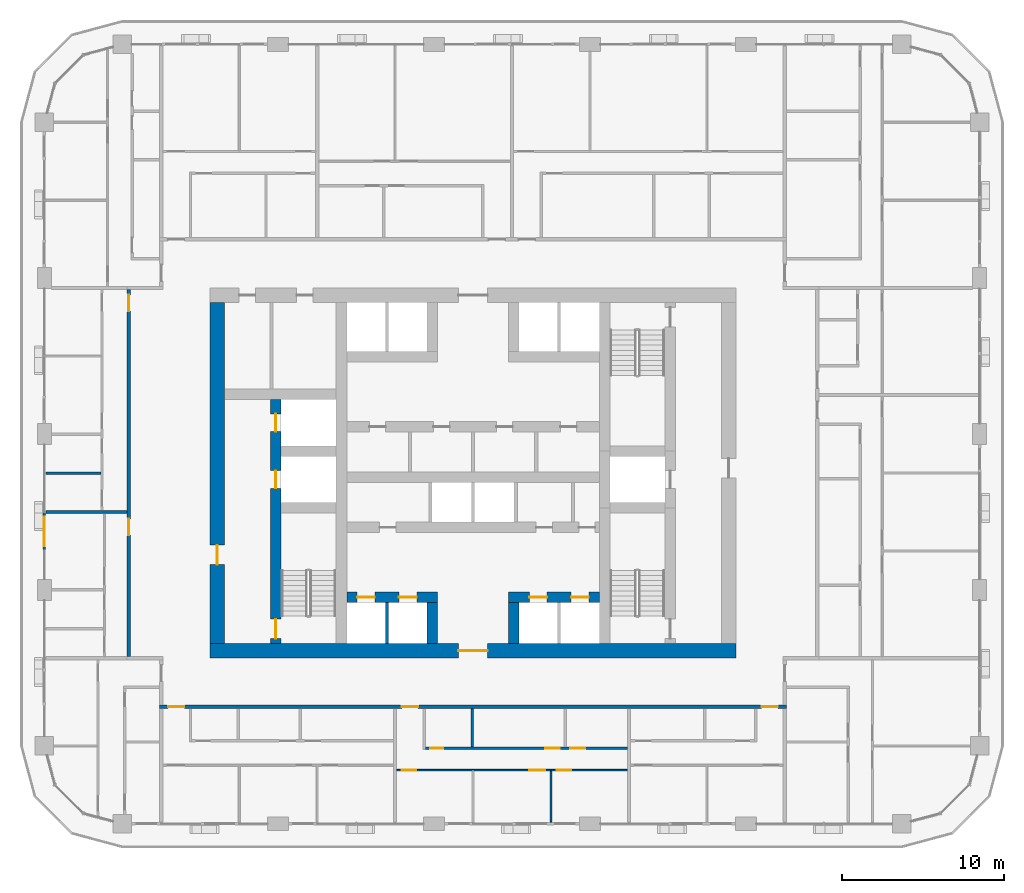
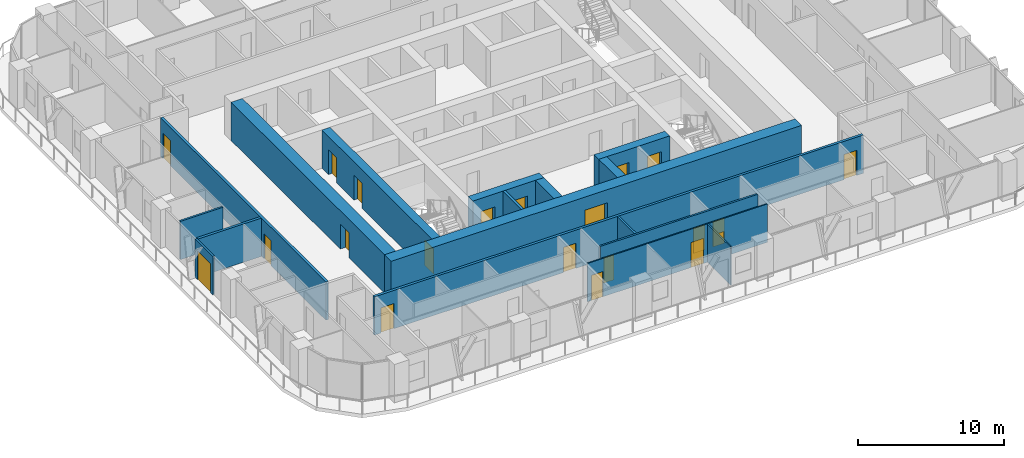
# One storey, part 10 of 22: 21 doors, 17 walls, 21 openings.
"""IFC4 building model written with IfcOpenShell, lengths in metres."""

from ifc_helpers import new_model, si_unit, direction, frame, frame_2d, origin, place, context, subcontext, project, spatial, rectangle, extrude, material, layer, layer_set, type_object, element, fill, save


model = new_model("IFC4")

# Units and contexts
model_context = context("Model", 3, precision=1e-05, world=origin(), true_north=direction((0.0, 1.0)))
body_context = subcontext(model_context, "Body", "Model", "MODEL_VIEW")
ifc_project = project(units=[si_unit("LENGTHUNIT", "METRE"), si_unit("AREAUNIT", "SQUARE_METRE"), si_unit("VOLUMEUNIT", "CUBIC_METRE"), si_unit("PLANEANGLEUNIT", "RADIAN"), si_unit("MASSUNIT", "GRAM", prefix="KILO")], contexts=[model_context])

# Site, building, storey
site_placement = place(None, origin())
site = spatial("IfcSite", under=ifc_project, at=site_placement, CompositionType="ELEMENT")
building_placement = place(site_placement, origin())
building = spatial("IfcBuilding", under=site, at=building_placement, Name="Madar Terraces", CompositionType="ELEMENT")
storey_placement = place(building_placement, frame((0.0, 0.0, 103.199951171875)))
storey = spatial("IfcBuildingStorey", under=building, at=storey_placement, Name="L26", CompositionType="ELEMENT", Elevation=103.199951171875)

# Wall, openings, doors
ifc_material_1 = material(Name="Concrete C80/95", Category="concrete")
ifc_layer_1 = layer(ifc_material_1, 0.64990234375)
ifc_layer_set_1 = layer_set([ifc_layer_1], Name="Concrete C80/95 (CIW2 RC wall 650)")
wall_type_1 = type_object("IfcWallType", Name="CIW2 RC wall 650", PredefinedType="SHEAR", material=ifc_layer_set_1)
wall_1_placement = place(storey_placement, frame((19.050048828125, 15.89990234375, 0.0), z_axis=(0.0, 0.0, 1.0), x_axis=(0.0, 1.0, 0.0)))
wall_1 = element("IfcWall", 1, at=wall_1_placement, inside=storey, type_object=wall_type_1, Name="CORE SHAFT WALL", PredefinedType="SHEAR", context=body_context, shape_type="SweptSolid", body=[
    extrude(rectangle(XDim=15.025146484375, YDim=0.64990234375, at=frame_2d((7.5126953125, 0.0))), origin(), (0.0, 0.0, 1.0), 3.199951171875),
])
opening_1_placement = place(wall_1_placement, frame((9.550048828125, 0.0, 0.0)))
opening_1 = element("IfcOpeningElement", 2, at=opening_1_placement, cuts=wall_1, Name="Opening LD", PredefinedType="OPENING", context=body_context, shape_type="SweptSolid", body=[
    extrude(rectangle(XDim=1.10009765625, YDim=2.10009765625, at=frame_2d((0.550048828125, 1.050048828125))), frame((0.0, 0.3349609375, 0.0), z_axis=(0.0, -1.0, 0.0), x_axis=(1.0, 0.0, 0.0)), (0.0, 0.0, 1.0), 0.669921875),
])
opening_2_placement = place(wall_1_placement, frame((13.050048828125, 0.0, 0.0)))
opening_2 = element("IfcOpeningElement", 3, at=opening_2_placement, cuts=wall_1, Name="Opening LD", PredefinedType="OPENING", context=body_context, shape_type="SweptSolid", body=[
    extrude(rectangle(XDim=1.10009765625, YDim=2.10009765625, at=frame_2d((0.550048828125, 1.050048828125))), frame((0.0, 0.3349609375, 0.0), z_axis=(0.0, -1.0, 0.0), x_axis=(1.0, 0.0, 0.0)), (0.0, 0.0, 1.0), 0.669921875),
])
opening_3_placement = place(wall_1_placement, frame((0.300048828125, 0.0, 0.0)))
opening_3 = element("IfcOpeningElement", 4, at=opening_3_placement, cuts=wall_1, Name="Opening SD1", PredefinedType="OPENING", context=body_context, shape_type="SweptSolid", body=[
    extrude(rectangle(XDim=1.199951171875, YDim=2.10009765625, at=frame_2d((0.60009765625, 1.050048828125))), frame((0.0, 0.3349609375, 0.0), z_axis=(0.0, -1.0, 0.0), x_axis=(1.0, 0.0, 0.0)), (0.0, 0.0, 1.0), 0.669921875),
])
ifc_material_2 = material(Name="Stainless steel panel", Category="steel")
door_type_1 = type_object("IfcDoorType", Name="Lift landing door 1100 x 2100", OperationType="DOUBLE_DOOR_SLIDING", PredefinedType="DOOR", material=ifc_material_2)
door_1_placement = place(opening_1_placement, origin())
door_1 = element("IfcDoor", 5, at=door_1_placement, inside=storey, type_object=door_type_1, Name="LIFT LANDING DOOR", OperationType="DOUBLE_DOOR_SLIDING", OverallHeight=2.10009765625, OverallWidth=1.10009765625, PredefinedType="DOOR", context=body_context, shape_type="SweptSolid", body=[
    extrude(rectangle(XDim=1.10009765625, YDim=2.10009765625, at=frame_2d((0.550048828125, 1.050048828125))), frame((0.0, 0.02490234375, 0.0), z_axis=(0.0, -1.0, 0.0), x_axis=(1.0, 0.0, 0.0)), (0.0, 0.0, 1.0), 0.050048828125),
])
fill(opening_1, door_1)
door_2_placement = place(opening_2_placement, origin())
door_2 = element("IfcDoor", 6, at=door_2_placement, inside=storey, type_object=door_type_1, Name="LIFT LANDING DOOR", OperationType="DOUBLE_DOOR_SLIDING", OverallHeight=2.10009765625, OverallWidth=1.10009765625, PredefinedType="DOOR", context=body_context, shape_type="SweptSolid", body=[
    extrude(rectangle(XDim=1.10009765625, YDim=2.10009765625, at=frame_2d((0.550048828125, 1.050048828125))), frame((0.0, 0.02490234375, 0.0), z_axis=(0.0, -1.0, 0.0), x_axis=(1.0, 0.0, 0.0)), (0.0, 0.0, 1.0), 0.050048828125),
])
fill(opening_2, door_2)
ifc_material_3 = material(Name="Steel door leaf", Category="steel")
door_type_2 = type_object("IfcDoorType", Name="Stair door 1200 x 2100", OperationType="NOTDEFINED", PredefinedType="DOOR", material=ifc_material_3)
door_3_placement = place(opening_3_placement, frame((1.199951171875, 0.0, 0.0), z_axis=(0.0, 0.0, 1.0), x_axis=(-1.0, 0.0, 0.0)))
door_3 = element("IfcDoor", 7, at=door_3_placement, inside=storey, type_object=door_type_2, Name="STAIR DOOR", OperationType="SINGLE_SWING_RIGHT", OverallHeight=2.10009765625, OverallWidth=1.199951171875, PredefinedType="DOOR", context=body_context, shape_type="SweptSolid", body=[
    extrude(rectangle(XDim=1.199951171875, YDim=2.10009765625, at=frame_2d((0.60009765625, 1.050048828125))), frame((0.0, 0.02490234375, 0.0), z_axis=(0.0, -1.0, 0.0), x_axis=(1.0, 0.0, 0.0)), (0.0, 0.0, 1.0), 0.050048828125),
])
fill(opening_3, door_3)

wall_2_placement = place(storey_placement, frame((23.425048828125, 18.75, 0.0), z_axis=(0.0, 0.0, 1.0), x_axis=(1.0, 0.0, 0.0)))
wall_2 = element("IfcWall", 8, at=wall_2_placement, inside=storey, type_object=wall_type_1, Name="CORE SHAFT WALL", PredefinedType="SHEAR", context=body_context, shape_type="SweptSolid", body=[
    extrude(rectangle(XDim=5.599853515625, YDim=0.64990234375, at=frame_2d((2.7998046875, 0.0))), origin(), (0.0, 0.0, 1.0), 3.199951171875),
])
opening_4_placement = place(wall_2_placement, frame((0.637451171875, 0.0, 0.0)))
opening_4 = element("IfcOpeningElement", 9, at=opening_4_placement, cuts=wall_2, Name="Opening LD", PredefinedType="OPENING", context=body_context, shape_type="SweptSolid", body=[
    extrude(rectangle(XDim=1.10009765625, YDim=2.10009765625, at=frame_2d((0.550048828125, 1.050048828125))), frame((0.0, 0.3349609375, 0.0), z_axis=(0.0, -1.0, 0.0), x_axis=(1.0, 0.0, 0.0)), (0.0, 0.0, 1.0), 0.669921875),
])
opening_5_placement = place(wall_2_placement, frame((3.21240234375, 0.0, 0.0)))
opening_5 = element("IfcOpeningElement", 10, at=opening_5_placement, cuts=wall_2, Name="Opening LD", PredefinedType="OPENING", context=body_context, shape_type="SweptSolid", body=[
    extrude(rectangle(XDim=1.10009765625, YDim=2.10009765625, at=frame_2d((0.550048828125, 1.050048828125))), frame((0.0, 0.3349609375, 0.0), z_axis=(0.0, -1.0, 0.0), x_axis=(1.0, 0.0, 0.0)), (0.0, 0.0, 1.0), 0.669921875),
])
door_4_placement = place(opening_4_placement, origin())
door_4 = element("IfcDoor", 11, at=door_4_placement, inside=storey, type_object=door_type_1, Name="LIFT LANDING DOOR", OperationType="DOUBLE_DOOR_SLIDING", OverallHeight=2.10009765625, OverallWidth=1.10009765625, PredefinedType="DOOR", context=body_context, shape_type="SweptSolid", body=[
    extrude(rectangle(XDim=1.10009765625, YDim=2.10009765625, at=frame_2d((0.550048828125, 1.050048828125))), frame((0.0, 0.02490234375, 0.0), z_axis=(0.0, -1.0, 0.0), x_axis=(1.0, 0.0, 0.0)), (0.0, 0.0, 1.0), 0.050048828125),
])
fill(opening_4, door_4)
door_5_placement = place(opening_5_placement, origin())
door_5 = element("IfcDoor", 12, at=door_5_placement, inside=storey, type_object=door_type_1, Name="LIFT LANDING DOOR", OperationType="DOUBLE_DOOR_SLIDING", OverallHeight=2.10009765625, OverallWidth=1.10009765625, PredefinedType="DOOR", context=body_context, shape_type="SweptSolid", body=[
    extrude(rectangle(XDim=1.10009765625, YDim=2.10009765625, at=frame_2d((0.550048828125, 1.050048828125))), frame((0.0, 0.02490234375, 0.0), z_axis=(0.0, -1.0, 0.0), x_axis=(1.0, 0.0, 0.0)), (0.0, 0.0, 1.0), 0.050048828125),
])
fill(opening_5, door_5)

wall_3_placement = place(storey_placement, frame((33.375, 18.75, 0.0), z_axis=(0.0, 0.0, 1.0), x_axis=(1.0, 0.0, 0.0)))
wall_3 = element("IfcWall", 13, at=wall_3_placement, inside=storey, type_object=wall_type_1, Name="CORE SHAFT WALL", PredefinedType="SHEAR", context=body_context, shape_type="SweptSolid", body=[
    extrude(rectangle(XDim=5.60009765625, YDim=0.64990234375, at=frame_2d((2.800048828125, 0.0))), origin(), (0.0, 0.0, 1.0), 3.199951171875),
])
opening_6_placement = place(wall_3_placement, frame((1.28759765625, 0.0, 0.0)))
opening_6 = element("IfcOpeningElement", 14, at=opening_6_placement, cuts=wall_3, Name="Opening LD", PredefinedType="OPENING", context=body_context, shape_type="SweptSolid", body=[
    extrude(rectangle(XDim=1.10009765625, YDim=2.10009765625, at=frame_2d((0.550048828125, 1.050048828125))), frame((0.0, 0.3349609375, 0.0), z_axis=(0.0, -1.0, 0.0), x_axis=(1.0, 0.0, 0.0)), (0.0, 0.0, 1.0), 0.669921875),
])
opening_7_placement = place(wall_3_placement, frame((3.862548828125, 0.0, 0.0)))
opening_7 = element("IfcOpeningElement", 15, at=opening_7_placement, cuts=wall_3, Name="Opening LD", PredefinedType="OPENING", context=body_context, shape_type="SweptSolid", body=[
    extrude(rectangle(XDim=1.10009765625, YDim=2.10009765625, at=frame_2d((0.550048828125, 1.050048828125))), frame((0.0, 0.3349609375, 0.0), z_axis=(0.0, -1.0, 0.0), x_axis=(1.0, 0.0, 0.0)), (0.0, 0.0, 1.0), 0.669921875),
])
door_6_placement = place(opening_6_placement, origin())
door_6 = element("IfcDoor", 16, at=door_6_placement, inside=storey, type_object=door_type_1, Name="LIFT LANDING DOOR", OperationType="DOUBLE_DOOR_SLIDING", OverallHeight=2.10009765625, OverallWidth=1.10009765625, PredefinedType="DOOR", context=body_context, shape_type="SweptSolid", body=[
    extrude(rectangle(XDim=1.10009765625, YDim=2.10009765625, at=frame_2d((0.550048828125, 1.050048828125))), frame((0.0, 0.02490234375, 0.0), z_axis=(0.0, -1.0, 0.0), x_axis=(1.0, 0.0, 0.0)), (0.0, 0.0, 1.0), 0.050048828125),
])
fill(opening_6, door_6)
door_7_placement = place(opening_7_placement, origin())
door_7 = element("IfcDoor", 17, at=door_7_placement, inside=storey, type_object=door_type_1, Name="LIFT LANDING DOOR", OperationType="DOUBLE_DOOR_SLIDING", OverallHeight=2.10009765625, OverallWidth=1.10009765625, PredefinedType="DOOR", context=body_context, shape_type="SweptSolid", body=[
    extrude(rectangle(XDim=1.10009765625, YDim=2.10009765625, at=frame_2d((0.550048828125, 1.050048828125))), frame((0.0, 0.02490234375, 0.0), z_axis=(0.0, -1.0, 0.0), x_axis=(1.0, 0.0, 0.0)), (0.0, 0.0, 1.0), 0.050048828125),
])
fill(opening_7, door_7)

# Walls
for number, where, z_axis, x_axis, name in (
    (18, (28.699951171875, 15.89990234375, 0.0), (0.0, 0.0, 1.0), (0.0, 1.0, 0.0), "CORE SHAFT WALL"),
    (19, (33.699951171875, 15.89990234375, 0.0), (0.0, 0.0, 1.0), (0.0, 1.0, 0.0), "CORE SHAFT WALL"),
):
    element("IfcWall", number, at=place(storey_placement, frame(where, z_axis=z_axis, x_axis=x_axis)), inside=storey, type_object=wall_type_1, Name=name, PredefinedType="SHEAR", context=body_context, shape_type="SweptSolid", body=[
        extrude(rectangle(XDim=2.525146484375, YDim=0.64990234375, at=frame_2d((1.2626953125, 0.0))), origin(), (0.0, 0.0, 1.0), 3.199951171875),
    ])

# Wall, opening, door
ifc_material_4 = material(Name="Concrete C80/95", Category="concrete")
ifc_layer_2 = layer(ifc_material_4, 0.89990234375)
ifc_layer_set_2 = layer_set([ifc_layer_2], Name="Concrete C80/95 (CRW2 RC wall 900)")
wall_type_2 = type_object("IfcWallType", Name="CRW2 RC wall 900", PredefinedType="SHEAR", material=ifc_layer_set_2)
wall_4_placement = place(storey_placement, frame((15.0, 15.449951171875, 0.0), z_axis=(0.0, 0.0, 1.0), x_axis=(1.0, 0.0, 0.0)))
wall_4 = element("IfcWall", 20, at=wall_4_placement, inside=storey, type_object=wall_type_2, Name="CORE OUTER WALL", PredefinedType="SHEAR", context=body_context, shape_type="SweptSolid", body=[
    extrude(rectangle(XDim=32.39990234375, YDim=0.89990234375, at=frame_2d((16.199951171875, 0.0))), origin(), (0.0, 0.0, 1.0), 3.199951171875),
])
opening_8_placement = place(wall_4_placement, frame((15.300048828125, 0.0, 0.0)))
opening_8 = element("IfcOpeningElement", 21, at=opening_8_placement, cuts=wall_4, Name="Opening KD1", PredefinedType="OPENING", context=body_context, shape_type="SweptSolid", body=[
    extrude(rectangle(XDim=1.800048828125, YDim=2.10009765625, at=frame_2d((0.89990234375, 1.050048828125))), frame((0.0, 0.4599609375, 0.0), z_axis=(0.0, -1.0, 0.0), x_axis=(1.0, 0.0, 0.0)), (0.0, 0.0, 1.0), 0.919921875),
])
ifc_material_5 = material(Name="Steel door leaf", Category="steel")
door_type_3 = type_object("IfcDoorType", Name="Lobby door pair 1800 x 2100", OperationType="DOUBLE_DOOR_SINGLE_SWING", PredefinedType="DOOR", material=ifc_material_5)
door_8_placement = place(opening_8_placement, frame((1.800048828125, 0.0, 0.0), z_axis=(0.0, 0.0, 1.0), x_axis=(-1.0, 0.0, 0.0)))
door_8 = element("IfcDoor", 22, at=door_8_placement, inside=storey, type_object=door_type_3, Name="LIFT LOBBY DOOR", OperationType="DOUBLE_DOOR_SINGLE_SWING", OverallHeight=2.10009765625, OverallWidth=1.800048828125, PredefinedType="DOOR", context=body_context, shape_type="SweptSolid", body=[
    extrude(rectangle(XDim=1.800048828125, YDim=2.10009765625, at=frame_2d((0.89990234375, 1.050048828125))), frame((0.0, 0.02490234375, 0.0), z_axis=(0.0, -1.0, 0.0), x_axis=(1.0, 0.0, 0.0)), (0.0, 0.0, 1.0), 0.050048828125),
])
fill(opening_8, door_8)

wall_5_placement = place(storey_placement, frame((15.449951171875, 15.89990234375, 0.0), z_axis=(0.0, 0.0, 1.0), x_axis=(0.0, 1.0, 0.0)))
wall_5 = element("IfcWall", 23, at=wall_5_placement, inside=storey, type_object=wall_type_2, Name="CORE OUTER WALL", PredefinedType="SHEAR", context=body_context, shape_type="SweptSolid", body=[
    extrude(rectangle(XDim=21.0, YDim=0.89990234375, at=frame_2d((10.5, 0.0))), origin(), (0.0, 0.0, 1.0), 3.199951171875),
])
opening_9_placement = place(wall_5_placement, frame((4.860107421875, 0.0, 0.0)))
opening_9 = element("IfcOpeningElement", 24, at=opening_9_placement, cuts=wall_5, Name="Opening SD1", PredefinedType="OPENING", context=body_context, shape_type="SweptSolid", body=[
    extrude(rectangle(XDim=1.199951171875, YDim=2.10009765625, at=frame_2d((0.60009765625, 1.050048828125))), frame((0.0, 0.4599609375, 0.0), z_axis=(0.0, -1.0, 0.0), x_axis=(1.0, 0.0, 0.0)), (0.0, 0.0, 1.0), 0.919921875),
])
door_9_placement = place(opening_9_placement, frame((1.199951171875, 0.0, 0.0), z_axis=(0.0, 0.0, 1.0), x_axis=(-1.0, 0.0, 0.0)))
door_9 = element("IfcDoor", 25, at=door_9_placement, inside=storey, type_object=door_type_2, Name="STAIR DOOR", OperationType="SINGLE_SWING_LEFT", OverallHeight=2.10009765625, OverallWidth=1.199951171875, PredefinedType="DOOR", context=body_context, shape_type="SweptSolid", body=[
    extrude(rectangle(XDim=1.199951171875, YDim=2.10009765625, at=frame_2d((0.60009765625, 1.050048828125))), frame((0.0, 0.02490234375, 0.0), z_axis=(0.0, -1.0, 0.0), x_axis=(1.0, 0.0, 0.0)), (0.0, 0.0, 1.0), 0.050048828125),
])
fill(opening_9, door_9)

# Wall
ifc_material_6 = material(Name="Concrete C40/50", Category="concrete")
ifc_layer_3 = layer(ifc_material_6, 0.199951171875)
ifc_layer_set_3 = layer_set([ifc_layer_3], Name="Core shaft dividing wall 200 C40/50")
wall_type_3 = type_object("IfcWallType", Name="Core shaft dividing wall 200 C40/50", PredefinedType="SOLIDWALL", material=ifc_layer_set_3)
wall_6_placement = place(storey_placement, frame((25.89990234375, 15.89990234375, 0.0), z_axis=(0.0, 0.0, 1.0), x_axis=(0.0, 1.0, 0.0)))
element("IfcWall", 26, at=wall_6_placement, inside=storey, type_object=wall_type_3, Name="SHAFT DIVIDING WALL", PredefinedType="SOLIDWALL", context=body_context, shape_type="SweptSolid", body=[
    extrude(rectangle(XDim=2.525146484375, YDim=0.199951171875, at=frame_2d((1.2626953125, 0.0))), origin(), (0.0, 0.0, 1.0), 3.199951171875),
])

# Wall, opening, door
ifc_material_7 = material(Name="Aluminium composite panel, black, over insulated backing", Category="aluminium")
ifc_layer_4 = layer(ifc_material_7, 0.14990234375)
ifc_layer_set_4 = layer_set([ifc_layer_4], Name="Facade bay panel 150")
wall_type_4 = type_object("IfcWallType", Name="Facade bay panel 150", PredefinedType="SOLIDWALL", material=ifc_layer_set_4)
wall_7_placement = place(storey_placement, frame((4.800048828125, 24.0, 0.0), z_axis=(0.0, 0.0, 1.0), x_axis=(0.0, -1.0, 0.0)))
wall_7 = element("IfcWall", 27, at=wall_7_placement, inside=storey, type_object=wall_type_4, Name="Facade bay panel", PredefinedType="SOLIDWALL", context=body_context, shape_type="SweptSolid", body=[
    extrude(rectangle(XDim=2.39990234375, YDim=0.14990234375, at=frame_2d((1.199951171875, 0.0))), origin(), (0.0, 0.0, 1.0), 3.199951171875),
])
opening_10_placement = place(wall_7_placement, frame((0.300048828125, 0.0, 0.0)))
opening_10 = element("IfcOpeningElement", 28, at=opening_10_placement, cuts=wall_7, Name="Opening ED1", PredefinedType="OPENING", context=body_context, shape_type="SweptSolid", body=[
    extrude(rectangle(XDim=1.800048828125, YDim=2.39990234375, at=frame_2d((0.89990234375, 1.199951171875))), frame((0.0, 0.0849609375, 0.0), z_axis=(0.0, -1.0, 0.0), x_axis=(1.0, 0.0, 0.0)), (0.0, 0.0, 1.0), 0.169921875),
])
ifc_material_8 = material(Name="Glass, clear, with black aluminium frame", Category="aluminium")
door_type_4 = type_object("IfcDoorType", Name="Balcony and terrace sliding door 1800 x 2400", OperationType="SLIDING_TO_LEFT", PredefinedType="DOOR", material=ifc_material_8)
door_10_placement = place(opening_10_placement, origin())
door_10 = element("IfcDoor", 29, at=door_10_placement, inside=storey, type_object=door_type_4, Name="Balcony door", OperationType="SLIDING_TO_LEFT", OverallHeight=2.39990234375, OverallWidth=1.800048828125, PredefinedType="DOOR", context=body_context, shape_type="SweptSolid", body=[
    extrude(rectangle(XDim=1.800048828125, YDim=2.39990234375, at=frame_2d((0.89990234375, 1.199951171875))), frame((0.0, 0.02490234375, 0.0), z_axis=(0.0, -1.0, 0.0), x_axis=(1.0, 0.0, 0.0)), (0.0, 0.0, 1.0), 0.050048828125),
])
fill(opening_10, door_10)

# Wall
ifc_material_9 = material(Name="Gypsum board on steel studs", Category="steel")
ifc_layer_5 = layer(ifc_material_9, 0.10009765625)
ifc_layer_set_5 = layer_set([ifc_layer_5], Name="Flat partition 100")
wall_type_5 = type_object("IfcWallType", Name="Flat partition 100", PredefinedType="PARTITIONING", material=ifc_layer_set_5)
wall_8_placement = place(storey_placement, frame((36.0, 8.050048828125, 0.0), z_axis=(0.0, 0.0, 1.0), x_axis=(0.0, -1.0, 0.0)))
element("IfcWall", 30, at=wall_8_placement, inside=storey, type_object=wall_type_5, Name="Flat partition 100", PredefinedType="PARTITIONING", context=body_context, shape_type="SweptSolid", body=[
    extrude(rectangle(XDim=3.150146484375, YDim=0.10009765625, at=frame_2d((1.5751953125, 0.0))), origin(), (0.0, 0.0, 1.0), 3.199951171875),
])

# Wall, openings, doors
wall_9_placement = place(storey_placement, frame((40.699951171875, 8.10009765625, 0.0), z_axis=(0.0, 0.0, 1.0), x_axis=(-1.0, 0.0, 0.0)))
wall_9 = element("IfcWall", 31, at=wall_9_placement, inside=storey, type_object=wall_type_5, Name="Flat partition 100", PredefinedType="PARTITIONING", context=body_context, shape_type="SweptSolid", body=[
    extrude(rectangle(XDim=14.199951171875, YDim=0.10009765625, at=frame_2d((7.10009765625, 0.0))), origin(), (0.0, 0.0, 1.0), 3.199951171875),
])
opening_11_placement = place(wall_9_placement, frame((13.0, 0.0, 0.0)))
opening_11 = element("IfcOpeningElement", 32, at=opening_11_placement, cuts=wall_9, Name="Opening D2", PredefinedType="OPENING", context=body_context, shape_type="SweptSolid", body=[
    extrude(rectangle(XDim=0.89990234375, YDim=2.10009765625, at=frame_2d((0.449951171875, 1.050048828125))), frame((0.0, 0.06005859375, 0.0), z_axis=(0.0, -1.0, 0.0), x_axis=(1.0, 0.0, 0.0)), (0.0, 0.0, 1.0), 0.1201171875),
])
opening_12_placement = place(wall_9_placement, frame((5.050048828125, 0.0, 0.0)))
opening_12 = element("IfcOpeningElement", 33, at=opening_12_placement, cuts=wall_9, Name="Opening D3", PredefinedType="OPENING", context=body_context, shape_type="SweptSolid", body=[
    extrude(rectangle(XDim=1.0, YDim=2.10009765625, at=frame_2d((0.5, 1.050048828125))), frame((0.0, 0.06005859375, 0.0), z_axis=(0.0, -1.0, 0.0), x_axis=(1.0, 0.0, 0.0)), (0.0, 0.0, 1.0), 0.1201171875),
])
opening_13_placement = place(wall_9_placement, frame((3.449951171875, 0.0, 0.0)))
opening_13 = element("IfcOpeningElement", 34, at=opening_13_placement, cuts=wall_9, Name="Opening D2", PredefinedType="OPENING", context=body_context, shape_type="SweptSolid", body=[
    extrude(rectangle(XDim=0.89990234375, YDim=2.10009765625, at=frame_2d((0.449951171875, 1.050048828125))), frame((0.0, 0.06005859375, 0.0), z_axis=(0.0, -1.0, 0.0), x_axis=(1.0, 0.0, 0.0)), (0.0, 0.0, 1.0), 0.1201171875),
])
ifc_material_10 = material(Name="Timber door leaf", Category="wood")
door_type_5 = type_object("IfcDoorType", Name="Flat living room door 1000", OperationType="NOTDEFINED", PredefinedType="DOOR", material=ifc_material_10)
door_11_placement = place(opening_12_placement, origin())
door_11 = element("IfcDoor", 35, at=door_11_placement, inside=storey, type_object=door_type_5, Name="Flat living room door 1000", OperationType="SINGLE_SWING_LEFT", OverallHeight=2.10009765625, OverallWidth=1.0, PredefinedType="DOOR", context=body_context, shape_type="SweptSolid", body=[
    extrude(rectangle(XDim=1.0, YDim=2.10009765625, at=frame_2d((0.5, 1.050048828125))), frame((0.0, 0.02490234375, 0.0), z_axis=(0.0, -1.0, 0.0), x_axis=(1.0, 0.0, 0.0)), (0.0, 0.0, 1.0), 0.050048828125),
])
fill(opening_12, door_11)
ifc_material_11 = material(Name="Timber door leaf", Category="wood")
door_type_6 = type_object("IfcDoorType", Name="Flat room door 900", OperationType="NOTDEFINED", PredefinedType="DOOR", material=ifc_material_11)
door_12_placement = place(opening_11_placement, origin())
door_12 = element("IfcDoor", 36, at=door_12_placement, inside=storey, type_object=door_type_6, Name="Flat room door 900", OperationType="SINGLE_SWING_RIGHT", OverallHeight=2.10009765625, OverallWidth=0.89990234375, PredefinedType="DOOR", context=body_context, shape_type="SweptSolid", body=[
    extrude(rectangle(XDim=0.89990234375, YDim=2.10009765625, at=frame_2d((0.449951171875, 1.050048828125))), frame((0.0, 0.02490234375, 0.0), z_axis=(0.0, -1.0, 0.0), x_axis=(1.0, 0.0, 0.0)), (0.0, 0.0, 1.0), 0.050048828125),
])
fill(opening_11, door_12)
door_13_placement = place(opening_13_placement, origin())
door_13 = element("IfcDoor", 37, at=door_13_placement, inside=storey, type_object=door_type_6, Name="Flat room door 900", OperationType="SINGLE_SWING_RIGHT", OverallHeight=2.10009765625, OverallWidth=0.89990234375, PredefinedType="DOOR", context=body_context, shape_type="SweptSolid", body=[
    extrude(rectangle(XDim=0.89990234375, YDim=2.10009765625, at=frame_2d((0.449951171875, 1.050048828125))), frame((0.0, 0.02490234375, 0.0), z_axis=(0.0, -1.0, 0.0), x_axis=(1.0, 0.0, 0.0)), (0.0, 0.0, 1.0), 0.050048828125),
])
fill(opening_13, door_13)

ifc_material_12 = material(Name="Lightweight blockwork", Category="masonry")
ifc_layer_6 = layer(ifc_material_12, 0.199951171875)
ifc_layer_set_6 = layer_set([ifc_layer_6], Name="Flat party and entrance wall 200")
wall_type_6 = type_object("IfcWallType", Name="Flat party and entrance wall 200", PredefinedType="PARTITIONING", material=ifc_layer_set_6)
wall_10_placement = place(storey_placement, frame((50.5, 12.0, 0.0), z_axis=(0.0, 0.0, 1.0), x_axis=(-1.0, 0.0, 0.0)))
wall_10 = element("IfcWall", 38, at=wall_10_placement, inside=storey, type_object=wall_type_6, Name="Flat party and entrance wall 200", PredefinedType="PARTITIONING", context=body_context, shape_type="SweptSolid", body=[
    extrude(rectangle(XDim=38.60009765625, YDim=0.199951171875, at=frame_2d((19.300048828125, 0.0))), origin(), (0.0, 0.0, 1.0), 3.199951171875),
])
opening_14_placement = place(wall_10_placement, frame((37.074951171875, 0.0, 0.0)))
opening_14 = element("IfcOpeningElement", 39, at=opening_14_placement, cuts=wall_10, Name="Opening D1", PredefinedType="OPENING", context=body_context, shape_type="SweptSolid", body=[
    extrude(rectangle(XDim=1.0, YDim=2.10009765625, at=frame_2d((0.5, 1.050048828125))), frame((0.0, 0.10986328125, 0.0), z_axis=(0.0, -1.0, 0.0), x_axis=(1.0, 0.0, 0.0)), (0.0, 0.0, 1.0), 0.219970703125),
])
opening_15_placement = place(wall_10_placement, frame((22.675048828125, 0.0, 0.0)))
opening_15 = element("IfcOpeningElement", 40, at=opening_15_placement, cuts=wall_10, Name="Opening D1", PredefinedType="OPENING", context=body_context, shape_type="SweptSolid", body=[
    extrude(rectangle(XDim=1.0, YDim=2.10009765625, at=frame_2d((0.5, 1.050048828125))), frame((0.0, 0.10986328125, 0.0), z_axis=(0.0, -1.0, 0.0), x_axis=(1.0, 0.0, 0.0)), (0.0, 0.0, 1.0), 0.219970703125),
])
opening_16_placement = place(wall_10_placement, frame((0.52490234375, 0.0, 0.0)))
opening_16 = element("IfcOpeningElement", 41, at=opening_16_placement, cuts=wall_10, Name="Opening D1", PredefinedType="OPENING", context=body_context, shape_type="SweptSolid", body=[
    extrude(rectangle(XDim=1.0, YDim=2.10009765625, at=frame_2d((0.5, 1.050048828125))), frame((0.0, 0.10986328125, 0.0), z_axis=(0.0, -1.0, 0.0), x_axis=(1.0, 0.0, 0.0)), (0.0, 0.0, 1.0), 0.219970703125),
])
ifc_material_13 = material(Name="Timber fire door leaf", Category="wood")
door_type_7 = type_object("IfcDoorType", Name="Flat entrance door 1000 FD30S", OperationType="NOTDEFINED", PredefinedType="DOOR", material=ifc_material_13)
door_14_placement = place(opening_14_placement, origin())
door_14 = element("IfcDoor", 42, at=door_14_placement, inside=storey, type_object=door_type_7, Name="Flat entrance door 1000 FD30S", OperationType="SINGLE_SWING_RIGHT", OverallHeight=2.10009765625, OverallWidth=1.0, PredefinedType="DOOR", context=body_context, shape_type="SweptSolid", body=[
    extrude(rectangle(XDim=1.0, YDim=2.10009765625, at=frame_2d((0.5, 1.050048828125))), frame((0.0, 0.02490234375, 0.0), z_axis=(0.0, -1.0, 0.0), x_axis=(1.0, 0.0, 0.0)), (0.0, 0.0, 1.0), 0.050048828125),
])
fill(opening_14, door_14)
door_15_placement = place(opening_15_placement, origin())
door_15 = element("IfcDoor", 43, at=door_15_placement, inside=storey, type_object=door_type_7, Name="Flat entrance door 1000 FD30S", OperationType="SINGLE_SWING_RIGHT", OverallHeight=2.10009765625, OverallWidth=1.0, PredefinedType="DOOR", context=body_context, shape_type="SweptSolid", body=[
    extrude(rectangle(XDim=1.0, YDim=2.10009765625, at=frame_2d((0.5, 1.050048828125))), frame((0.0, 0.02490234375, 0.0), z_axis=(0.0, -1.0, 0.0), x_axis=(1.0, 0.0, 0.0)), (0.0, 0.0, 1.0), 0.050048828125),
])
fill(opening_15, door_15)
door_16_placement = place(opening_16_placement, origin())
door_16 = element("IfcDoor", 44, at=door_16_placement, inside=storey, type_object=door_type_7, Name="Flat entrance door 1000 FD30S", OperationType="SINGLE_SWING_LEFT", OverallHeight=2.10009765625, OverallWidth=1.0, PredefinedType="DOOR", context=body_context, shape_type="SweptSolid", body=[
    extrude(rectangle(XDim=1.0, YDim=2.10009765625, at=frame_2d((0.5, 1.050048828125))), frame((0.0, 0.02490234375, 0.0), z_axis=(0.0, -1.0, 0.0), x_axis=(1.0, 0.0, 0.0)), (0.0, 0.0, 1.0), 0.050048828125),
])
fill(opening_16, door_16)

wall_11_placement = place(storey_placement, frame((10.0, 15.10009765625, 0.0), z_axis=(0.0, 0.0, 1.0), x_axis=(0.0, 1.0, 0.0)))
wall_11 = element("IfcWall", 45, at=wall_11_placement, inside=storey, type_object=wall_type_6, Name="Flat party and entrance wall 200", PredefinedType="PARTITIONING", context=body_context, shape_type="SweptSolid", body=[
    extrude(rectangle(XDim=22.599853515625, YDim=0.199951171875, at=frame_2d((11.2998046875, 0.0))), origin(), (0.0, 0.0, 1.0), 3.199951171875),
])
opening_17_placement = place(wall_11_placement, frame((21.27490234375, 0.0, 0.0)))
opening_17 = element("IfcOpeningElement", 46, at=opening_17_placement, cuts=wall_11, Name="Opening D1", PredefinedType="OPENING", context=body_context, shape_type="SweptSolid", body=[
    extrude(rectangle(XDim=1.0, YDim=2.10009765625, at=frame_2d((0.5, 1.050048828125))), frame((0.0, 0.10986328125, 0.0), z_axis=(0.0, -1.0, 0.0), x_axis=(1.0, 0.0, 0.0)), (0.0, 0.0, 1.0), 0.219970703125),
])
opening_18_placement = place(wall_11_placement, frame((7.47509765625, 0.0, 0.0)))
opening_18 = element("IfcOpeningElement", 47, at=opening_18_placement, cuts=wall_11, Name="Opening D1", PredefinedType="OPENING", context=body_context, shape_type="SweptSolid", body=[
    extrude(rectangle(XDim=1.0, YDim=2.10009765625, at=frame_2d((0.5, 1.050048828125))), frame((0.0, 0.10986328125, 0.0), z_axis=(0.0, -1.0, 0.0), x_axis=(1.0, 0.0, 0.0)), (0.0, 0.0, 1.0), 0.219970703125),
])
door_17_placement = place(opening_17_placement, origin())
door_17 = element("IfcDoor", 48, at=door_17_placement, inside=storey, type_object=door_type_7, Name="Flat entrance door 1000 FD30S", OperationType="SINGLE_SWING_RIGHT", OverallHeight=2.10009765625, OverallWidth=1.0, PredefinedType="DOOR", context=body_context, shape_type="SweptSolid", body=[
    extrude(rectangle(XDim=1.0, YDim=2.10009765625, at=frame_2d((0.5, 1.050048828125))), frame((0.0, 0.02490234375, 0.0), z_axis=(0.0, -1.0, 0.0), x_axis=(1.0, 0.0, 0.0)), (0.0, 0.0, 1.0), 0.050048828125),
])
fill(opening_17, door_17)
door_18_placement = place(opening_18_placement, origin())
door_18 = element("IfcDoor", 49, at=door_18_placement, inside=storey, type_object=door_type_7, Name="Flat entrance door 1000 FD30S", OperationType="SINGLE_SWING_RIGHT", OverallHeight=2.10009765625, OverallWidth=1.0, PredefinedType="DOOR", context=body_context, shape_type="SweptSolid", body=[
    extrude(rectangle(XDim=1.0, YDim=2.10009765625, at=frame_2d((0.5, 1.050048828125))), frame((0.0, 0.02490234375, 0.0), z_axis=(0.0, -1.0, 0.0), x_axis=(1.0, 0.0, 0.0)), (0.0, 0.0, 1.0), 0.050048828125),
])
fill(opening_18, door_18)

# Walls
wall_12_placement = place(storey_placement, frame((4.89990234375, 24.0, 0.0), z_axis=(0.0, 0.0, 1.0), x_axis=(1.0, 0.0, 0.0)))
element("IfcWall", 50, at=wall_12_placement, inside=storey, type_object=wall_type_6, Name="Flat party and entrance wall 200", PredefinedType="PARTITIONING", context=body_context, shape_type="SweptSolid", body=[
    extrude(rectangle(XDim=5.0, YDim=0.199951171875, at=frame_2d((2.5, 0.0))), origin(), (0.0, 0.0, 1.0), 3.199951171875),
])
ifc_material_14 = material(Name="Lightweight blockwork", Category="masonry")
ifc_layer_7 = layer(ifc_material_14, 0.14990234375)
ifc_layer_set_7 = layer_set([ifc_layer_7], Name="Flat wet-room partition 150")
wall_type_7 = type_object("IfcWallType", Name="Flat wet-room partition 150", PredefinedType="PARTITIONING", material=ifc_layer_set_7)
wall_13_placement = place(storey_placement, frame((31.142333984375, 11.89990234375, 0.0), z_axis=(0.0, 0.0, 1.0), x_axis=(0.0, -1.0, 0.0)))
element("IfcWall", 51, at=wall_13_placement, inside=storey, type_object=wall_type_7, Name="Flat wet-room partition 150", PredefinedType="PARTITIONING", context=body_context, shape_type="SweptSolid", body=[
    extrude(rectangle(XDim=2.375, YDim=0.14990234375, at=frame_2d((1.1875, 0.0))), origin(), (0.0, 0.0, 1.0), 3.199951171875),
])

# Wall, openings, doors
wall_14_placement = place(storey_placement, frame((28.27490234375, 9.449951171875, 0.0), z_axis=(0.0, 0.0, 1.0), x_axis=(1.0, 0.0, 0.0)))
wall_14 = element("IfcWall", 52, at=wall_14_placement, inside=storey, type_object=wall_type_7, Name="Flat wet-room partition 150", PredefinedType="PARTITIONING", context=body_context, shape_type="SweptSolid", body=[
    extrude(rectangle(XDim=12.425048828125, YDim=0.14990234375, at=frame_2d((6.21240234375, 0.0))), origin(), (0.0, 0.0, 1.0), 3.199951171875),
])
opening_19_placement = place(wall_14_placement, frame((0.300048828125, 0.0, 0.0)))
opening_19 = element("IfcOpeningElement", 53, at=opening_19_placement, cuts=wall_14, Name="Opening D4", PredefinedType="OPENING", context=body_context, shape_type="SweptSolid", body=[
    extrude(rectangle(XDim=0.800048828125, YDim=2.10009765625, at=frame_2d((0.39990234375, 1.050048828125))), frame((0.0, 0.0849609375, 0.0), z_axis=(0.0, -1.0, 0.0), x_axis=(1.0, 0.0, 0.0)), (0.0, 0.0, 1.0), 0.169921875),
])
opening_20_placement = place(wall_14_placement, frame((7.376953125, 0.0, 0.0)))
opening_20 = element("IfcOpeningElement", 54, at=opening_20_placement, cuts=wall_14, Name="Opening D2", PredefinedType="OPENING", context=body_context, shape_type="SweptSolid", body=[
    extrude(rectangle(XDim=0.89990234375, YDim=2.10009765625, at=frame_2d((0.449951171875, 1.050048828125))), frame((0.0, 0.0849609375, 0.0), z_axis=(0.0, -1.0, 0.0), x_axis=(1.0, 0.0, 0.0)), (0.0, 0.0, 1.0), 0.169921875),
])
opening_21_placement = place(wall_14_placement, frame((8.927001953125, 0.0, 0.0)))
opening_21 = element("IfcOpeningElement", 55, at=opening_21_placement, cuts=wall_14, Name="Opening D5", PredefinedType="OPENING", context=body_context, shape_type="SweptSolid", body=[
    extrude(rectangle(XDim=0.89990234375, YDim=2.10009765625, at=frame_2d((0.449951171875, 1.050048828125))), frame((0.0, 0.0849609375, 0.0), z_axis=(0.0, -1.0, 0.0), x_axis=(1.0, 0.0, 0.0)), (0.0, 0.0, 1.0), 0.169921875),
])
ifc_material_15 = material(Name="Timber door leaf", Category="wood")
door_type_8 = type_object("IfcDoorType", Name="Flat accessible bathroom door 900", OperationType="NOTDEFINED", PredefinedType="DOOR", material=ifc_material_15)
door_19_placement = place(opening_21_placement, origin())
door_19 = element("IfcDoor", 56, at=door_19_placement, inside=storey, type_object=door_type_8, Name="Flat accessible bathroom door 900", OperationType="SINGLE_SWING_LEFT", OverallHeight=2.10009765625, OverallWidth=0.89990234375, PredefinedType="DOOR", context=body_context, shape_type="SweptSolid", body=[
    extrude(rectangle(XDim=0.89990234375, YDim=2.10009765625, at=frame_2d((0.449951171875, 1.050048828125))), frame((0.0, 0.02490234375, 0.0), z_axis=(0.0, -1.0, 0.0), x_axis=(1.0, 0.0, 0.0)), (0.0, 0.0, 1.0), 0.050048828125),
])
fill(opening_21, door_19)
ifc_material_16 = material(Name="Timber door leaf", Category="wood")
door_type_9 = type_object("IfcDoorType", Name="Flat bathroom door 800", OperationType="NOTDEFINED", PredefinedType="DOOR", material=ifc_material_16)
door_20_placement = place(opening_19_placement, origin())
door_20 = element("IfcDoor", 57, at=door_20_placement, inside=storey, type_object=door_type_9, Name="Flat bathroom door 800", OperationType="SINGLE_SWING_LEFT", OverallHeight=2.10009765625, OverallWidth=0.800048828125, PredefinedType="DOOR", context=body_context, shape_type="SweptSolid", body=[
    extrude(rectangle(XDim=0.800048828125, YDim=2.10009765625, at=frame_2d((0.39990234375, 1.050048828125))), frame((0.0, 0.02490234375, 0.0), z_axis=(0.0, -1.0, 0.0), x_axis=(1.0, 0.0, 0.0)), (0.0, 0.0, 1.0), 0.050048828125),
])
fill(opening_19, door_20)
door_21_placement = place(opening_20_placement, origin())
door_21 = element("IfcDoor", 58, at=door_21_placement, inside=storey, type_object=door_type_6, Name="Flat room door 900", OperationType="SINGLE_SWING_RIGHT", OverallHeight=2.10009765625, OverallWidth=0.89990234375, PredefinedType="DOOR", context=body_context, shape_type="SweptSolid", body=[
    extrude(rectangle(XDim=0.89990234375, YDim=2.10009765625, at=frame_2d((0.449951171875, 1.050048828125))), frame((0.0, 0.02490234375, 0.0), z_axis=(0.0, -1.0, 0.0), x_axis=(1.0, 0.0, 0.0)), (0.0, 0.0, 1.0), 0.050048828125),
])
fill(opening_20, door_21)

# Wall
wall_15_placement = place(storey_placement, frame((8.27490234375, 26.39990234375, 0.0), z_axis=(0.0, 0.0, 1.0), x_axis=(-1.0, 0.0, 0.0)))
element("IfcWall", 59, at=wall_15_placement, inside=storey, type_object=wall_type_7, Name="Flat wet-room partition 150", PredefinedType="PARTITIONING", context=body_context, shape_type="SweptSolid", body=[
    extrude(rectangle(XDim=3.375, YDim=0.14990234375, at=frame_2d((1.6875, 0.0))), origin(), (0.0, 0.0, 1.0), 3.199951171875),
])

save(model, "model.ifc")
